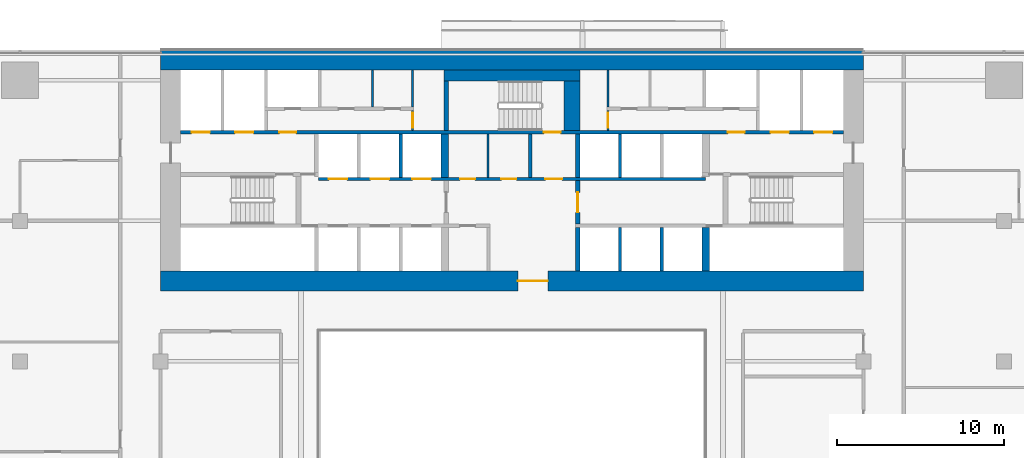
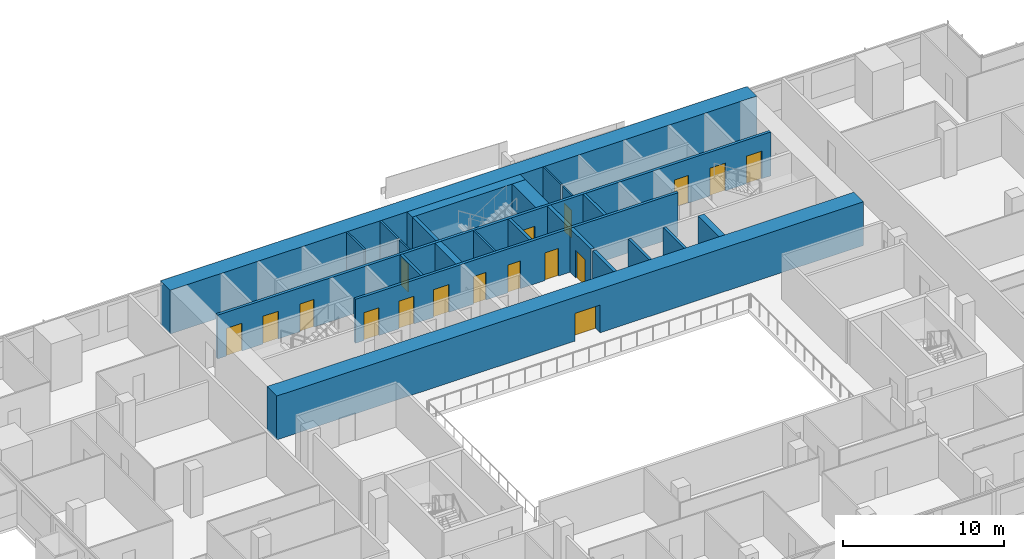
# One storey, part 22 of 27: 23 walls, 17 doors, 17 openings.
"""IFC4 building model written with IfcOpenShell, lengths in metres."""

from ifc_helpers import new_model, si_unit, direction, frame, frame_2d, origin, place, context, subcontext, project, spatial, rectangle, extrude, material, layer, layer_set, type_object, element, fill, save


model = new_model("IFC4")

# Units and contexts
model_context = context("Model", 3, precision=1e-05, world=origin(), true_north=direction((0.0, 1.0)))
body_context = subcontext(model_context, "Body", "Model", "MODEL_VIEW")
ifc_project = project(units=[si_unit("LENGTHUNIT", "METRE"), si_unit("AREAUNIT", "SQUARE_METRE"), si_unit("VOLUMEUNIT", "CUBIC_METRE"), si_unit("PLANEANGLEUNIT", "RADIAN"), si_unit("MASSUNIT", "GRAM", prefix="KILO")], contexts=[model_context])

# Site, building, storey
site_placement = place(None, origin())
site = spatial("IfcSite", under=ifc_project, at=site_placement, CompositionType="ELEMENT")
building_placement = place(site_placement, origin())
building = spatial("IfcBuilding", under=site, at=building_placement, Name="Saffron Gate Tower", CompositionType="ELEMENT")
storey_placement = place(building_placement, frame((0.0, 0.0, 40.800048828125)))
storey = spatial("IfcBuildingStorey", under=building, at=storey_placement, Name="L08", CompositionType="ELEMENT", Elevation=40.800048828125)

# Wall, opening, door
ifc_material_1 = material(Name="Concrete C70", Category="concrete")
ifc_layer_1 = layer(ifc_material_1, 1.199951171875)
ifc_layer_set_1 = layer_set([ifc_layer_1], Name="CW1 RC core wall 1200 C70")
wall_type_1 = type_object("IfcWallType", Name="CW1 RC core wall 1200 C70", PredefinedType="SOLIDWALL", material=ifc_layer_set_1)
wall_1_placement = place(storey_placement, frame((66.60009765625, 61.800048828125, 0.0), z_axis=(0.0, 0.0, 1.0), x_axis=(1.0, 0.0, 0.0)))
wall_1 = element("IfcWall", 1, at=wall_1_placement, inside=storey, type_object=wall_type_1, Name="Wall CW1-L08-1", PredefinedType="SOLIDWALL", context=body_context, shape_type="SweptSolid", body=[
    extrude(rectangle(XDim=42.0, YDim=1.199951171875, at=frame_2d((21.0, 0.0))), origin(), (0.0, 0.0, 1.0), 3.320068359375),
])
opening_1_placement = place(wall_1_placement, frame((21.35009765625, 0.0, 0.0)))
opening_1 = element("IfcOpeningElement", 2, at=opening_1_placement, cuts=wall_1, Name="Opening CR-09", PredefinedType="OPENING", context=body_context, shape_type="SweptSolid", body=[
    extrude(rectangle(XDim=1.800048828125, YDim=2.10009765625, at=frame_2d((0.89990234375, 1.050048828125))), frame((0.0, 0.60986328125, 0.0), z_axis=(0.0, -1.0, 0.0), x_axis=(1.0, 0.0, 0.0)), (0.0, 0.0, 1.0), 1.219970703125),
])
ifc_material_2 = material(Name="Steel fire door set", Category="steel")
door_type_1 = type_object("IfcDoorType", Name="CD1 Core entrance door 1800x2100 EI 120", OperationType="NOTDEFINED", PredefinedType="DOOR", material=ifc_material_2)
door_1_placement = place(opening_1_placement, origin())
door_1 = element("IfcDoor", 3, at=door_1_placement, inside=storey, type_object=door_type_1, Name="DOOR CR-09", OperationType="DOUBLE_DOOR_SINGLE_SWING", OverallHeight=2.10009765625, OverallWidth=1.800048828125, PredefinedType="DOOR", context=body_context, shape_type="SweptSolid", body=[
    extrude(rectangle(XDim=1.800048828125, YDim=2.10009765625, at=frame_2d((0.89990234375, 1.050048828125))), frame((0.0, 0.02490234375, 0.0), z_axis=(0.0, -1.0, 0.0), x_axis=(1.0, 0.0, 0.0)), (0.0, 0.0, 1.0), 0.050048828125),
])
fill(opening_1, door_1)

# Walls
wall_2_placement = place(storey_placement, frame((66.60009765625, 75.0, 0.0), z_axis=(0.0, 0.0, 1.0), x_axis=(1.0, 0.0, 0.0)))
element("IfcWall", 4, at=wall_2_placement, inside=storey, type_object=wall_type_1, Name="Wall CW1-L08-2", PredefinedType="SOLIDWALL", context=body_context, shape_type="SweptSolid", body=[
    extrude(rectangle(XDim=42.0, YDim=1.199951171875, at=frame_2d((21.0, 0.0))), origin(), (0.0, 0.0, 1.0), 3.320068359375),
])
ifc_material_3 = material(Name="Gypsum board partition on steel studs", Category="steel")
ifc_layer_2 = layer(ifc_material_3, 0.199951171875)
ifc_layer_set_2 = layer_set([ifc_layer_2], Name="CW10 Core partition 200")
wall_type_2 = type_object("IfcWallType", Name="CW10 Core partition 200", PredefinedType="PARTITIONING", material=ifc_layer_set_2)
wall_3_placement = place(storey_placement, frame((88.699951171875, 68.0, 0.0), z_axis=(0.0, 0.0, 1.0), x_axis=(0.0, 1.0, 0.0)))
element("IfcWall", 5, at=wall_3_placement, inside=storey, type_object=wall_type_2, Name="Wall CW10-L08-25", PredefinedType="PARTITIONING", context=body_context, shape_type="SweptSolid", body=[
    extrude(rectangle(XDim=2.60009765625, YDim=0.199951171875, at=frame_2d((1.300048828125, 0.0))), origin(), (0.0, 0.0, 1.0), 3.320068359375),
])
ifc_layer_3 = layer(ifc_material_1, 0.25)
ifc_layer_set_3 = layer_set([ifc_layer_3], Name="CW2 RC core wall 250 C70")
wall_type_3 = type_object("IfcWallType", Name="CW2 RC core wall 250 C70", PredefinedType="SOLIDWALL", material=ifc_layer_set_3)
wall_4_placement = place(storey_placement, frame((91.52490234375, 62.39990234375, 0.0), z_axis=(0.0, 0.0, 1.0), x_axis=(0.0, 1.0, 0.0)))
element("IfcWall", 6, at=wall_4_placement, inside=storey, type_object=wall_type_3, Name="Wall CW2-L08-10", PredefinedType="SOLIDWALL", context=body_context, shape_type="SweptSolid", body=[
    extrude(rectangle(XDim=2.60009765625, YDim=0.25, at=frame_2d((1.300048828125, 0.0))), origin(), (0.0, 0.0, 1.0), 3.320068359375),
])

# Wall, opening, door
wall_5_placement = place(storey_placement, frame((91.52490234375, 65.199951171875, 0.0), z_axis=(0.0, 0.0, 1.0), x_axis=(0.0, 1.0, 0.0)))
wall_5 = element("IfcWall", 7, at=wall_5_placement, inside=storey, type_object=wall_type_3, Name="Wall CW2-L08-18", PredefinedType="SOLIDWALL", context=body_context, shape_type="SweptSolid", body=[
    extrude(rectangle(XDim=2.60009765625, YDim=0.25, at=frame_2d((1.300048828125, 0.0))), origin(), (0.0, 0.0, 1.0), 3.320068359375),
])
opening_2_placement = place(wall_5_placement, frame((0.699951171875, 0.0, 0.0)))
opening_2 = element("IfcOpeningElement", 8, at=opening_2_placement, cuts=wall_5, Name="Opening CR-01", PredefinedType="OPENING", context=body_context, shape_type="SweptSolid", body=[
    extrude(rectangle(XDim=1.199951171875, YDim=2.10009765625, at=frame_2d((0.60009765625, 1.050048828125))), frame((0.0, 0.135009765625, 0.0), z_axis=(0.0, -1.0, 0.0), x_axis=(1.0, 0.0, 0.0)), (0.0, 0.0, 1.0), 0.27001953125),
])
door_type_2 = type_object("IfcDoorType", Name="CD3 Lobby door 1200x2100 EI 120", OperationType="NOTDEFINED", PredefinedType="DOOR", material=ifc_material_2)
door_2_placement = place(opening_2_placement, origin())
door_2 = element("IfcDoor", 9, at=door_2_placement, inside=storey, type_object=door_type_2, Name="DOOR CR-01", OperationType="SINGLE_SWING_RIGHT", OverallHeight=2.10009765625, OverallWidth=1.199951171875, PredefinedType="DOOR", context=body_context, shape_type="SweptSolid", body=[
    extrude(rectangle(XDim=1.199951171875, YDim=2.10009765625, at=frame_2d((0.60009765625, 1.050048828125))), frame((0.0, 0.02490234375, 0.0), z_axis=(0.0, -1.0, 0.0), x_axis=(1.0, 0.0, 0.0)), (0.0, 0.0, 1.0), 0.050048828125),
])
fill(opening_2, door_2)

# Walls
wall_6_placement = place(storey_placement, frame((91.52490234375, 68.0, 0.0), z_axis=(0.0, 0.0, 1.0), x_axis=(0.0, 1.0, 0.0)))
element("IfcWall", 10, at=wall_6_placement, inside=storey, type_object=wall_type_3, Name="Wall CW2-L08-26", PredefinedType="SOLIDWALL", context=body_context, shape_type="SweptSolid", body=[
    extrude(rectangle(XDim=2.60009765625, YDim=0.25, at=frame_2d((1.300048828125, 0.0))), origin(), (0.0, 0.0, 1.0), 3.320068359375),
])
wall_7_placement = place(storey_placement, frame((83.675048828125, 70.800048828125, 0.0), z_axis=(0.0, 0.0, 1.0), x_axis=(0.0, 1.0, 0.0)))
element("IfcWall", 11, at=wall_7_placement, inside=storey, type_object=wall_type_3, Name="Wall CW2-L08-38", PredefinedType="SOLIDWALL", context=body_context, shape_type="SweptSolid", body=[
    extrude(rectangle(XDim=2.949951171875, YDim=0.25, at=frame_2d((1.47509765625, 0.0))), origin(), (0.0, 0.0, 1.0), 3.320068359375),
])
ifc_layer_4 = layer(ifc_material_1, 0.199951171875)
ifc_layer_set_4 = layer_set([ifc_layer_4], Name="CW3 RC core wall 200 C70")
wall_type_4 = type_object("IfcWallType", Name="CW3 RC core wall 200 C70", PredefinedType="SOLIDWALL", material=ifc_layer_set_4)
for number, where, z_axis, x_axis, name in (
    (12, (94.050048828125, 62.39990234375, 0.0), (0.0, 0.0, 1.0), (0.0, 1.0, 0.0), "Wall CW3-L08-11"),
    (13, (96.550048828125, 62.39990234375, 0.0), (0.0, 0.0, 1.0), (0.0, 1.0, 0.0), "Wall CW3-L08-12"),
):
    element("IfcWall", number, at=place(storey_placement, frame(where, z_axis=z_axis, x_axis=x_axis)), inside=storey, type_object=wall_type_4, Name=name, PredefinedType="SOLIDWALL", context=body_context, shape_type="SweptSolid", body=[
        extrude(rectangle(XDim=2.60009765625, YDim=0.199951171875, at=frame_2d((1.300048828125, 0.0))), origin(), (0.0, 0.0, 1.0), 3.320068359375),
    ])

# Wall, openings, doors
wall_8_placement = place(storey_placement, frame((76.050048828125, 67.89990234375, 0.0), z_axis=(0.0, 0.0, 1.0), x_axis=(1.0, 0.0, 0.0)))
wall_8 = element("IfcWall", 14, at=wall_8_placement, inside=storey, type_object=wall_type_4, Name="Wall CW3-L08-20", PredefinedType="SOLIDWALL", context=body_context, shape_type="SweptSolid", body=[
    extrude(rectangle(XDim=23.099853515625, YDim=0.199951171875, at=frame_2d((11.5498046875, 0.0))), origin(), (0.0, 0.0, 1.0), 3.320068359375),
])
opening_3_placement = place(wall_8_placement, frame((0.60009765625, 0.0, 0.0)))
opening_3 = element("IfcOpeningElement", 15, at=opening_3_placement, cuts=wall_8, Name="Opening LD-LR4", PredefinedType="OPENING", context=body_context, shape_type="SweptSolid", body=[
    extrude(rectangle(XDim=1.10009765625, YDim=2.10009765625, at=frame_2d((0.550048828125, 1.050048828125))), frame((0.0, 0.10986328125, 0.0), z_axis=(0.0, -1.0, 0.0), x_axis=(1.0, 0.0, 0.0)), (0.0, 0.0, 1.0), 0.219970703125),
])
opening_4_placement = place(wall_8_placement, frame((3.10009765625, 0.0, 0.0)))
opening_4 = element("IfcOpeningElement", 16, at=opening_4_placement, cuts=wall_8, Name="Opening LD-LR5", PredefinedType="OPENING", context=body_context, shape_type="SweptSolid", body=[
    extrude(rectangle(XDim=1.10009765625, YDim=2.10009765625, at=frame_2d((0.550048828125, 1.050048828125))), frame((0.0, 0.10986328125, 0.0), z_axis=(0.0, -1.0, 0.0), x_axis=(1.0, 0.0, 0.0)), (0.0, 0.0, 1.0), 0.219970703125),
])
opening_5_placement = place(wall_8_placement, frame((5.60009765625, 0.0, 0.0)))
opening_5 = element("IfcOpeningElement", 17, at=opening_5_placement, cuts=wall_8, Name="Opening LD-LR6", PredefinedType="OPENING", context=body_context, shape_type="SweptSolid", body=[
    extrude(rectangle(XDim=1.10009765625, YDim=2.10009765625, at=frame_2d((0.550048828125, 1.050048828125))), frame((0.0, 0.10986328125, 0.0), z_axis=(0.0, -1.0, 0.0), x_axis=(1.0, 0.0, 0.0)), (0.0, 0.0, 1.0), 0.219970703125),
])
opening_6_placement = place(wall_8_placement, frame((8.449951171875, 0.0, 0.0)))
opening_6 = element("IfcOpeningElement", 18, at=opening_6_placement, cuts=wall_8, Name="Opening CR-67", PredefinedType="OPENING", context=body_context, shape_type="SweptSolid", body=[
    extrude(rectangle(XDim=0.89990234375, YDim=2.10009765625, at=frame_2d((0.449951171875, 1.050048828125))), frame((0.0, 0.10986328125, 0.0), z_axis=(0.0, -1.0, 0.0), x_axis=(1.0, 0.0, 0.0)), (0.0, 0.0, 1.0), 0.219970703125),
])
opening_7_placement = place(wall_8_placement, frame((10.909912109375, 0.0, 0.0)))
opening_7 = element("IfcOpeningElement", 19, at=opening_7_placement, cuts=wall_8, Name="Opening CR-68", PredefinedType="OPENING", context=body_context, shape_type="SweptSolid", body=[
    extrude(rectangle(XDim=0.89990234375, YDim=2.10009765625, at=frame_2d((0.449951171875, 1.050048828125))), frame((0.0, 0.10986328125, 0.0), z_axis=(0.0, -1.0, 0.0), x_axis=(1.0, 0.0, 0.0)), (0.0, 0.0, 1.0), 0.219970703125),
])
opening_8_placement = place(wall_8_placement, frame((13.550048828125, 0.0, 0.0)))
opening_8 = element("IfcOpeningElement", 20, at=opening_8_placement, cuts=wall_8, Name="Opening CR-02", PredefinedType="OPENING", context=body_context, shape_type="SweptSolid", body=[
    extrude(rectangle(XDim=1.0, YDim=2.10009765625, at=frame_2d((0.5, 1.050048828125))), frame((0.0, 0.10986328125, 0.0), z_axis=(0.0, -1.0, 0.0), x_axis=(1.0, 0.0, 0.0)), (0.0, 0.0, 1.0), 0.219970703125),
])
door_type_3 = type_object("IfcDoorType", Name="CD4 Lobby door 1000x2100 EI 120", OperationType="NOTDEFINED", PredefinedType="DOOR", material=ifc_material_2)
door_3_placement = place(opening_8_placement, origin())
door_3 = element("IfcDoor", 21, at=door_3_placement, inside=storey, type_object=door_type_3, Name="DOOR CR-02", OperationType="SINGLE_SWING_LEFT", OverallHeight=2.10009765625, OverallWidth=1.0, PredefinedType="DOOR", context=body_context, shape_type="SweptSolid", body=[
    extrude(rectangle(XDim=1.0, YDim=2.10009765625, at=frame_2d((0.5, 1.050048828125))), frame((0.0, 0.02490234375, 0.0), z_axis=(0.0, -1.0, 0.0), x_axis=(1.0, 0.0, 0.0)), (0.0, 0.0, 1.0), 0.050048828125),
])
fill(opening_8, door_3)
door_type_4 = type_object("IfcDoorType", Name="CD9 Room door 900x2100 EI 60", OperationType="NOTDEFINED", PredefinedType="DOOR", material=ifc_material_2)
door_4_placement = place(opening_6_placement, origin())
door_4 = element("IfcDoor", 22, at=door_4_placement, inside=storey, type_object=door_type_4, Name="DOOR CR-67", OperationType="SINGLE_SWING_LEFT", OverallHeight=2.10009765625, OverallWidth=0.89990234375, PredefinedType="DOOR", context=body_context, shape_type="SweptSolid", body=[
    extrude(rectangle(XDim=0.89990234375, YDim=2.10009765625, at=frame_2d((0.449951171875, 1.050048828125))), frame((0.0, 0.02490234375, 0.0), z_axis=(0.0, -1.0, 0.0), x_axis=(1.0, 0.0, 0.0)), (0.0, 0.0, 1.0), 0.050048828125),
])
fill(opening_6, door_4)
door_5_placement = place(opening_7_placement, origin())
door_5 = element("IfcDoor", 23, at=door_5_placement, inside=storey, type_object=door_type_4, Name="DOOR CR-68", OperationType="SINGLE_SWING_LEFT", OverallHeight=2.10009765625, OverallWidth=0.89990234375, PredefinedType="DOOR", context=body_context, shape_type="SweptSolid", body=[
    extrude(rectangle(XDim=0.89990234375, YDim=2.10009765625, at=frame_2d((0.449951171875, 1.050048828125))), frame((0.0, 0.02490234375, 0.0), z_axis=(0.0, -1.0, 0.0), x_axis=(1.0, 0.0, 0.0)), (0.0, 0.0, 1.0), 0.050048828125),
])
fill(opening_7, door_5)
ifc_material_4 = material(Name="Stainless steel landing door", Category="steel")
door_type_5 = type_object("IfcDoorType", Name="LD Lift landing door 1100x2100 EI 120", OperationType="SLIDING_TO_LEFT", PredefinedType="DOOR", material=ifc_material_4)
door_6_placement = place(opening_3_placement, origin())
door_6 = element("IfcDoor", 24, at=door_6_placement, inside=storey, type_object=door_type_5, Name="LANDING DOOR LD-LR4", OperationType="SLIDING_TO_RIGHT", OverallHeight=2.10009765625, OverallWidth=1.10009765625, PredefinedType="DOOR", context=body_context, shape_type="SweptSolid", body=[
    extrude(rectangle(XDim=1.10009765625, YDim=2.10009765625, at=frame_2d((0.550048828125, 1.050048828125))), frame((0.0, 0.02490234375, 0.0), z_axis=(0.0, -1.0, 0.0), x_axis=(1.0, 0.0, 0.0)), (0.0, 0.0, 1.0), 0.050048828125),
])
fill(opening_3, door_6)
door_7_placement = place(opening_4_placement, origin())
door_7 = element("IfcDoor", 25, at=door_7_placement, inside=storey, type_object=door_type_5, Name="LANDING DOOR LD-LR5", OperationType="SLIDING_TO_RIGHT", OverallHeight=2.10009765625, OverallWidth=1.10009765625, PredefinedType="DOOR", context=body_context, shape_type="SweptSolid", body=[
    extrude(rectangle(XDim=1.10009765625, YDim=2.10009765625, at=frame_2d((0.550048828125, 1.050048828125))), frame((0.0, 0.02490234375, 0.0), z_axis=(0.0, -1.0, 0.0), x_axis=(1.0, 0.0, 0.0)), (0.0, 0.0, 1.0), 0.050048828125),
])
fill(opening_4, door_7)
door_8_placement = place(opening_5_placement, origin())
door_8 = element("IfcDoor", 26, at=door_8_placement, inside=storey, type_object=door_type_5, Name="LANDING DOOR LD-LR6", OperationType="SLIDING_TO_RIGHT", OverallHeight=2.10009765625, OverallWidth=1.10009765625, PredefinedType="DOOR", context=body_context, shape_type="SweptSolid", body=[
    extrude(rectangle(XDim=1.10009765625, YDim=2.10009765625, at=frame_2d((0.550048828125, 1.050048828125))), frame((0.0, 0.02490234375, 0.0), z_axis=(0.0, -1.0, 0.0), x_axis=(1.0, 0.0, 0.0)), (0.0, 0.0, 1.0), 0.050048828125),
])
fill(opening_5, door_8)

# Walls
for number, where, z_axis, x_axis, name in (
    (27, (80.949951171875, 68.0, 0.0), (0.0, 0.0, 1.0), (0.0, 1.0, 0.0), "Wall CW3-L08-22"),
    (28, (94.050048828125, 68.0, 0.0), (0.0, 0.0, 1.0), (0.0, 1.0, 0.0), "Wall CW3-L08-27"),
):
    element("IfcWall", number, at=place(storey_placement, frame(where, z_axis=z_axis, x_axis=x_axis)), inside=storey, type_object=wall_type_4, Name=name, PredefinedType="SOLIDWALL", context=body_context, shape_type="SweptSolid", body=[
        extrude(rectangle(XDim=2.60009765625, YDim=0.199951171875, at=frame_2d((1.300048828125, 0.0))), origin(), (0.0, 0.0, 1.0), 3.320068359375),
    ])

# Wall, openings, doors
wall_9_placement = place(storey_placement, frame((67.800048828125, 70.699951171875, 0.0), z_axis=(0.0, 0.0, 1.0), x_axis=(1.0, 0.0, 0.0)))
wall_9 = element("IfcWall", 29, at=wall_9_placement, inside=storey, type_object=wall_type_4, Name="Wall CW3-L08-34", PredefinedType="SOLIDWALL", context=body_context, shape_type="SweptSolid", body=[
    extrude(rectangle(XDim=39.599853515625, YDim=0.199951171875, at=frame_2d((19.7998046875, 0.0))), origin(), (0.0, 0.0, 1.0), 3.320068359375),
])
opening_9_placement = place(wall_9_placement, frame((0.64990234375, 0.0, 0.0)))
opening_9 = element("IfcOpeningElement", 30, at=opening_9_placement, cuts=wall_9, Name="Opening LD-FF1", PredefinedType="OPENING", context=body_context, shape_type="SweptSolid", body=[
    extrude(rectangle(XDim=1.10009765625, YDim=2.10009765625, at=frame_2d((0.550048828125, 1.050048828125))), frame((0.0, 0.10986328125, 0.0), z_axis=(0.0, -1.0, 0.0), x_axis=(1.0, 0.0, 0.0)), (0.0, 0.0, 1.0), 0.219970703125),
])
opening_10_placement = place(wall_9_placement, frame((3.25, 0.0, 0.0)))
opening_10 = element("IfcOpeningElement", 31, at=opening_10_placement, cuts=wall_9, Name="Opening LD-SV1", PredefinedType="OPENING", context=body_context, shape_type="SweptSolid", body=[
    extrude(rectangle(XDim=1.10009765625, YDim=2.10009765625, at=frame_2d((0.550048828125, 1.050048828125))), frame((0.0, 0.10986328125, 0.0), z_axis=(0.0, -1.0, 0.0), x_axis=(1.0, 0.0, 0.0)), (0.0, 0.0, 1.0), 0.219970703125),
])
opening_11_placement = place(wall_9_placement, frame((5.89990234375, 0.0, 0.0)))
opening_11 = element("IfcOpeningElement", 32, at=opening_11_placement, cuts=wall_9, Name="Opening CR-03", PredefinedType="OPENING", context=body_context, shape_type="SweptSolid", body=[
    extrude(rectangle(XDim=1.0, YDim=2.10009765625, at=frame_2d((0.5, 1.050048828125))), frame((0.0, 0.10986328125, 0.0), z_axis=(0.0, -1.0, 0.0), x_axis=(1.0, 0.0, 0.0)), (0.0, 0.0, 1.0), 0.219970703125),
])
opening_12_placement = place(wall_9_placement, frame((21.699951171875, 0.0, 0.0)))
opening_12 = element("IfcOpeningElement", 33, at=opening_12_placement, cuts=wall_9, Name="Opening CR-17", PredefinedType="OPENING", context=body_context, shape_type="SweptSolid", body=[
    extrude(rectangle(XDim=1.0, YDim=2.10009765625, at=frame_2d((0.5, 1.050048828125))), frame((0.0, 0.10986328125, 0.0), z_axis=(0.0, -1.0, 0.0), x_axis=(1.0, 0.0, 0.0)), (0.0, 0.0, 1.0), 0.219970703125),
])
opening_13_placement = place(wall_9_placement, frame((32.699951171875, 0.0, 0.0)))
opening_13 = element("IfcOpeningElement", 34, at=opening_13_placement, cuts=wall_9, Name="Opening CR-04", PredefinedType="OPENING", context=body_context, shape_type="SweptSolid", body=[
    extrude(rectangle(XDim=1.0, YDim=2.10009765625, at=frame_2d((0.5, 1.050048828125))), frame((0.0, 0.10986328125, 0.0), z_axis=(0.0, -1.0, 0.0), x_axis=(1.0, 0.0, 0.0)), (0.0, 0.0, 1.0), 0.219970703125),
])
opening_14_placement = place(wall_9_placement, frame((35.25, 0.0, 0.0)))
opening_14 = element("IfcOpeningElement", 35, at=opening_14_placement, cuts=wall_9, Name="Opening LD-SV2", PredefinedType="OPENING", context=body_context, shape_type="SweptSolid", body=[
    extrude(rectangle(XDim=1.10009765625, YDim=2.10009765625, at=frame_2d((0.550048828125, 1.050048828125))), frame((0.0, 0.10986328125, 0.0), z_axis=(0.0, -1.0, 0.0), x_axis=(1.0, 0.0, 0.0)), (0.0, 0.0, 1.0), 0.219970703125),
])
opening_15_placement = place(wall_9_placement, frame((37.85009765625, 0.0, 0.0)))
opening_15 = element("IfcOpeningElement", 36, at=opening_15_placement, cuts=wall_9, Name="Opening LD-FF2", PredefinedType="OPENING", context=body_context, shape_type="SweptSolid", body=[
    extrude(rectangle(XDim=1.10009765625, YDim=2.10009765625, at=frame_2d((0.550048828125, 1.050048828125))), frame((0.0, 0.10986328125, 0.0), z_axis=(0.0, -1.0, 0.0), x_axis=(1.0, 0.0, 0.0)), (0.0, 0.0, 1.0), 0.219970703125),
])
door_9_placement = place(opening_11_placement, origin())
door_9 = element("IfcDoor", 37, at=door_9_placement, inside=storey, type_object=door_type_3, Name="DOOR CR-03", OperationType="SINGLE_SWING_LEFT", OverallHeight=2.10009765625, OverallWidth=1.0, PredefinedType="DOOR", context=body_context, shape_type="SweptSolid", body=[
    extrude(rectangle(XDim=1.0, YDim=2.10009765625, at=frame_2d((0.5, 1.050048828125))), frame((0.0, 0.02490234375, 0.0), z_axis=(0.0, -1.0, 0.0), x_axis=(1.0, 0.0, 0.0)), (0.0, 0.0, 1.0), 0.050048828125),
])
fill(opening_11, door_9)
door_10_placement = place(opening_13_placement, origin())
door_10 = element("IfcDoor", 38, at=door_10_placement, inside=storey, type_object=door_type_3, Name="DOOR CR-04", OperationType="SINGLE_SWING_RIGHT", OverallHeight=2.10009765625, OverallWidth=1.0, PredefinedType="DOOR", context=body_context, shape_type="SweptSolid", body=[
    extrude(rectangle(XDim=1.0, YDim=2.10009765625, at=frame_2d((0.5, 1.050048828125))), frame((0.0, 0.02490234375, 0.0), z_axis=(0.0, -1.0, 0.0), x_axis=(1.0, 0.0, 0.0)), (0.0, 0.0, 1.0), 0.050048828125),
])
fill(opening_13, door_10)
door_type_6 = type_object("IfcDoorType", Name="CD5 Stair door 1000x2100 EI 120", OperationType="NOTDEFINED", PredefinedType="DOOR", material=ifc_material_2)
door_11_placement = place(opening_12_placement, origin())
door_11 = element("IfcDoor", 39, at=door_11_placement, inside=storey, type_object=door_type_6, Name="DOOR CR-17", OperationType="SINGLE_SWING_RIGHT", OverallHeight=2.10009765625, OverallWidth=1.0, PredefinedType="DOOR", context=body_context, shape_type="SweptSolid", body=[
    extrude(rectangle(XDim=1.0, YDim=2.10009765625, at=frame_2d((0.5, 1.050048828125))), frame((0.0, 0.02490234375, 0.0), z_axis=(0.0, -1.0, 0.0), x_axis=(1.0, 0.0, 0.0)), (0.0, 0.0, 1.0), 0.050048828125),
])
fill(opening_12, door_11)
door_12_placement = place(opening_9_placement, origin())
door_12 = element("IfcDoor", 40, at=door_12_placement, inside=storey, type_object=door_type_5, Name="LANDING DOOR LD-FF1", OperationType="SLIDING_TO_RIGHT", OverallHeight=2.10009765625, OverallWidth=1.10009765625, PredefinedType="DOOR", context=body_context, shape_type="SweptSolid", body=[
    extrude(rectangle(XDim=1.10009765625, YDim=2.10009765625, at=frame_2d((0.550048828125, 1.050048828125))), frame((0.0, 0.02490234375, 0.0), z_axis=(0.0, -1.0, 0.0), x_axis=(1.0, 0.0, 0.0)), (0.0, 0.0, 1.0), 0.050048828125),
])
fill(opening_9, door_12)
door_13_placement = place(opening_10_placement, origin())
door_13 = element("IfcDoor", 41, at=door_13_placement, inside=storey, type_object=door_type_5, Name="LANDING DOOR LD-SV1", OperationType="SLIDING_TO_RIGHT", OverallHeight=2.10009765625, OverallWidth=1.10009765625, PredefinedType="DOOR", context=body_context, shape_type="SweptSolid", body=[
    extrude(rectangle(XDim=1.10009765625, YDim=2.10009765625, at=frame_2d((0.550048828125, 1.050048828125))), frame((0.0, 0.02490234375, 0.0), z_axis=(0.0, -1.0, 0.0), x_axis=(1.0, 0.0, 0.0)), (0.0, 0.0, 1.0), 0.050048828125),
])
fill(opening_10, door_13)
door_14_placement = place(opening_14_placement, origin())
door_14 = element("IfcDoor", 42, at=door_14_placement, inside=storey, type_object=door_type_5, Name="LANDING DOOR LD-SV2", OperationType="SLIDING_TO_RIGHT", OverallHeight=2.10009765625, OverallWidth=1.10009765625, PredefinedType="DOOR", context=body_context, shape_type="SweptSolid", body=[
    extrude(rectangle(XDim=1.10009765625, YDim=2.10009765625, at=frame_2d((0.550048828125, 1.050048828125))), frame((0.0, 0.02490234375, 0.0), z_axis=(0.0, -1.0, 0.0), x_axis=(1.0, 0.0, 0.0)), (0.0, 0.0, 1.0), 0.050048828125),
])
fill(opening_14, door_14)
door_15_placement = place(opening_15_placement, origin())
door_15 = element("IfcDoor", 43, at=door_15_placement, inside=storey, type_object=door_type_5, Name="LANDING DOOR LD-FF2", OperationType="SLIDING_TO_RIGHT", OverallHeight=2.10009765625, OverallWidth=1.10009765625, PredefinedType="DOOR", context=body_context, shape_type="SweptSolid", body=[
    extrude(rectangle(XDim=1.10009765625, YDim=2.10009765625, at=frame_2d((0.550048828125, 1.050048828125))), frame((0.0, 0.02490234375, 0.0), z_axis=(0.0, -1.0, 0.0), x_axis=(1.0, 0.0, 0.0)), (0.0, 0.0, 1.0), 0.050048828125),
])
fill(opening_15, door_15)

# Walls
ifc_layer_5 = layer(ifc_material_1, 0.449951171875)
ifc_layer_set_5 = layer_set([ifc_layer_5], Name="CW4 RC core wall 450 C70")
wall_type_5 = type_object("IfcWallType", Name="CW4 RC core wall 450 C70", PredefinedType="SOLIDWALL", material=ifc_layer_set_5)
for number, where, z_axis, x_axis, name in (
    (44, (99.175048828125, 62.39990234375, 0.0), (0.0, 0.0, 1.0), (0.0, 1.0, 0.0), "Wall CW4-L08-13"),
    (45, (83.574951171875, 68.0, 0.0), (0.0, 0.0, 1.0), (0.0, 1.0, 0.0), "Wall CW4-L08-23"),
):
    element("IfcWall", number, at=place(storey_placement, frame(where, z_axis=z_axis, x_axis=x_axis)), inside=storey, type_object=wall_type_5, Name=name, PredefinedType="SOLIDWALL", context=body_context, shape_type="SweptSolid", body=[
        extrude(rectangle(XDim=2.60009765625, YDim=0.449951171875, at=frame_2d((1.300048828125, 0.0))), origin(), (0.0, 0.0, 1.0), 3.320068359375),
    ])
ifc_layer_6 = layer(ifc_material_1, 0.949951171875)
ifc_layer_set_6 = layer_set([ifc_layer_6], Name="CW7 RC core wall 950 C70")
wall_type_6 = type_object("IfcWallType", Name="CW7 RC core wall 950 C70", PredefinedType="SOLIDWALL", material=ifc_layer_set_6)
wall_10_placement = place(storey_placement, frame((91.175048828125, 70.800048828125, 0.0), z_axis=(0.0, 0.0, 1.0), x_axis=(0.0, 1.0, 0.0)))
element("IfcWall", 46, at=wall_10_placement, inside=storey, type_object=wall_type_6, Name="Wall CW7-L08-39", PredefinedType="SOLIDWALL", context=body_context, shape_type="SweptSolid", body=[
    extrude(rectangle(XDim=2.949951171875, YDim=0.949951171875, at=frame_2d((1.47509765625, 0.0))), origin(), (0.0, 0.0, 1.0), 3.320068359375),
])
ifc_layer_7 = layer(ifc_material_3, 0.1201171875)
ifc_layer_set_7 = layer_set([ifc_layer_7], Name="CW8 Core partition 120")
wall_type_7 = type_object("IfcWallType", Name="CW8 Core partition 120", PredefinedType="PARTITIONING", material=ifc_layer_set_7)
wall_11_placement = place(storey_placement, frame((86.159912109375, 68.0, 0.0), z_axis=(0.0, 0.0, 1.0), x_axis=(0.0, 1.0, 0.0)))
element("IfcWall", 47, at=wall_11_placement, inside=storey, type_object=wall_type_7, Name="Wall CW8-L08-24", PredefinedType="PARTITIONING", context=body_context, shape_type="SweptSolid", body=[
    extrude(rectangle(XDim=2.60009765625, YDim=0.1201171875, at=frame_2d((1.300048828125, 0.0))), origin(), (0.0, 0.0, 1.0), 3.320068359375),
])

# Wall, opening, door
wall_12_placement = place(storey_placement, frame((81.659912109375, 70.800048828125, 0.0), z_axis=(0.0, 0.0, 1.0), x_axis=(0.0, 1.0, 0.0)))
wall_12 = element("IfcWall", 48, at=wall_12_placement, inside=storey, type_object=wall_type_7, Name="Wall CW8-L08-37", PredefinedType="PARTITIONING", context=body_context, shape_type="SweptSolid", body=[
    extrude(rectangle(XDim=1.199951171875, YDim=0.1201171875, at=frame_2d((0.60009765625, 0.0))), origin(), (0.0, 0.0, 1.0), 3.320068359375),
])
opening_16_placement = place(wall_12_placement, frame((0.14990234375, 0.0, 0.0)))
opening_16 = element("IfcOpeningElement", 49, at=opening_16_placement, cuts=wall_12, Name="Opening CR-60", PredefinedType="OPENING", context=body_context, shape_type="SweptSolid", body=[
    extrude(rectangle(XDim=0.89990234375, YDim=2.10009765625, at=frame_2d((0.449951171875, 1.050048828125))), frame((0.0, 0.070068359375, 0.0), z_axis=(0.0, -1.0, 0.0), x_axis=(1.0, 0.0, 0.0)), (0.0, 0.0, 1.0), 0.14013671875),
])
door_16_placement = place(opening_16_placement, origin())
door_16 = element("IfcDoor", 50, at=door_16_placement, inside=storey, type_object=door_type_4, Name="DOOR CR-60", OperationType="SINGLE_SWING_RIGHT", OverallHeight=2.10009765625, OverallWidth=0.89990234375, PredefinedType="DOOR", context=body_context, shape_type="SweptSolid", body=[
    extrude(rectangle(XDim=0.89990234375, YDim=2.10009765625, at=frame_2d((0.449951171875, 1.050048828125))), frame((0.0, 0.02490234375, 0.0), z_axis=(0.0, -1.0, 0.0), x_axis=(1.0, 0.0, 0.0)), (0.0, 0.0, 1.0), 0.050048828125),
])
fill(opening_16, door_16)

wall_13_placement = place(storey_placement, frame((93.340087890625, 70.800048828125, 0.0), z_axis=(0.0, 0.0, 1.0), x_axis=(0.0, 1.0, 0.0)))
wall_13 = element("IfcWall", 51, at=wall_13_placement, inside=storey, type_object=wall_type_7, Name="Wall CW8-L08-40", PredefinedType="PARTITIONING", context=body_context, shape_type="SweptSolid", body=[
    extrude(rectangle(XDim=1.199951171875, YDim=0.1201171875, at=frame_2d((0.60009765625, 0.0))), origin(), (0.0, 0.0, 1.0), 3.320068359375),
])
opening_17_placement = place(wall_13_placement, frame((0.14990234375, 0.0, 0.0)))
opening_17 = element("IfcOpeningElement", 52, at=opening_17_placement, cuts=wall_13, Name="Opening CR-54", PredefinedType="OPENING", context=body_context, shape_type="SweptSolid", body=[
    extrude(rectangle(XDim=0.89990234375, YDim=2.10009765625, at=frame_2d((0.449951171875, 1.050048828125))), frame((0.0, 0.070068359375, 0.0), z_axis=(0.0, -1.0, 0.0), x_axis=(1.0, 0.0, 0.0)), (0.0, 0.0, 1.0), 0.14013671875),
])
door_17_placement = place(opening_17_placement, origin())
door_17 = element("IfcDoor", 53, at=door_17_placement, inside=storey, type_object=door_type_4, Name="DOOR CR-54", OperationType="SINGLE_SWING_LEFT", OverallHeight=2.10009765625, OverallWidth=0.89990234375, PredefinedType="DOOR", context=body_context, shape_type="SweptSolid", body=[
    extrude(rectangle(XDim=0.89990234375, YDim=2.10009765625, at=frame_2d((0.449951171875, 1.050048828125))), frame((0.0, 0.02490234375, 0.0), z_axis=(0.0, -1.0, 0.0), x_axis=(1.0, 0.0, 0.0)), (0.0, 0.0, 1.0), 0.050048828125),
])
fill(opening_17, door_17)

# Walls
for number, where, z_axis, x_axis, name in (
    (54, (79.260009765625, 72.199951171875, 0.0), (0.0, 0.0, 1.0), (0.0, 1.0, 0.0), "Wall CW8-L08-47"),
    (55, (81.659912109375, 72.199951171875, 0.0), (0.0, 0.0, 1.0), (0.0, 1.0, 0.0), "Wall CW8-L08-48"),
    (56, (93.340087890625, 72.199951171875, 0.0), (0.0, 0.0, 1.0), (0.0, 1.0, 0.0), "Wall CW8-L08-49"),
):
    element("IfcWall", number, at=place(storey_placement, frame(where, z_axis=z_axis, x_axis=x_axis)), inside=storey, type_object=wall_type_7, Name=name, PredefinedType="PARTITIONING", context=body_context, shape_type="SweptSolid", body=[
        extrude(rectangle(XDim=2.199951171875, YDim=0.1201171875, at=frame_2d((1.10009765625, 0.0))), origin(), (0.0, 0.0, 1.0), 3.320068359375),
    ])
ifc_layer_8 = layer(ifc_material_1, 0.64990234375)
ifc_layer_set_8 = layer_set([ifc_layer_8], Name="CW9 RC core wall 650 C70")
wall_type_8 = type_object("IfcWallType", Name="CW9 RC core wall 650 C70", PredefinedType="SOLIDWALL", material=ifc_layer_set_8)
wall_14_placement = place(storey_placement, frame((83.550048828125, 74.074951171875, 0.0), z_axis=(0.0, 0.0, 1.0), x_axis=(1.0, 0.0, 0.0)))
element("IfcWall", 57, at=wall_14_placement, inside=storey, type_object=wall_type_8, Name="Wall CW9-L08-53", PredefinedType="SOLIDWALL", context=body_context, shape_type="SweptSolid", body=[
    extrude(rectangle(XDim=8.099853515625, YDim=0.64990234375, at=frame_2d((4.0498046875, 0.0))), origin(), (0.0, 0.0, 1.0), 3.320068359375),
])

save(model, "model.ifc")
